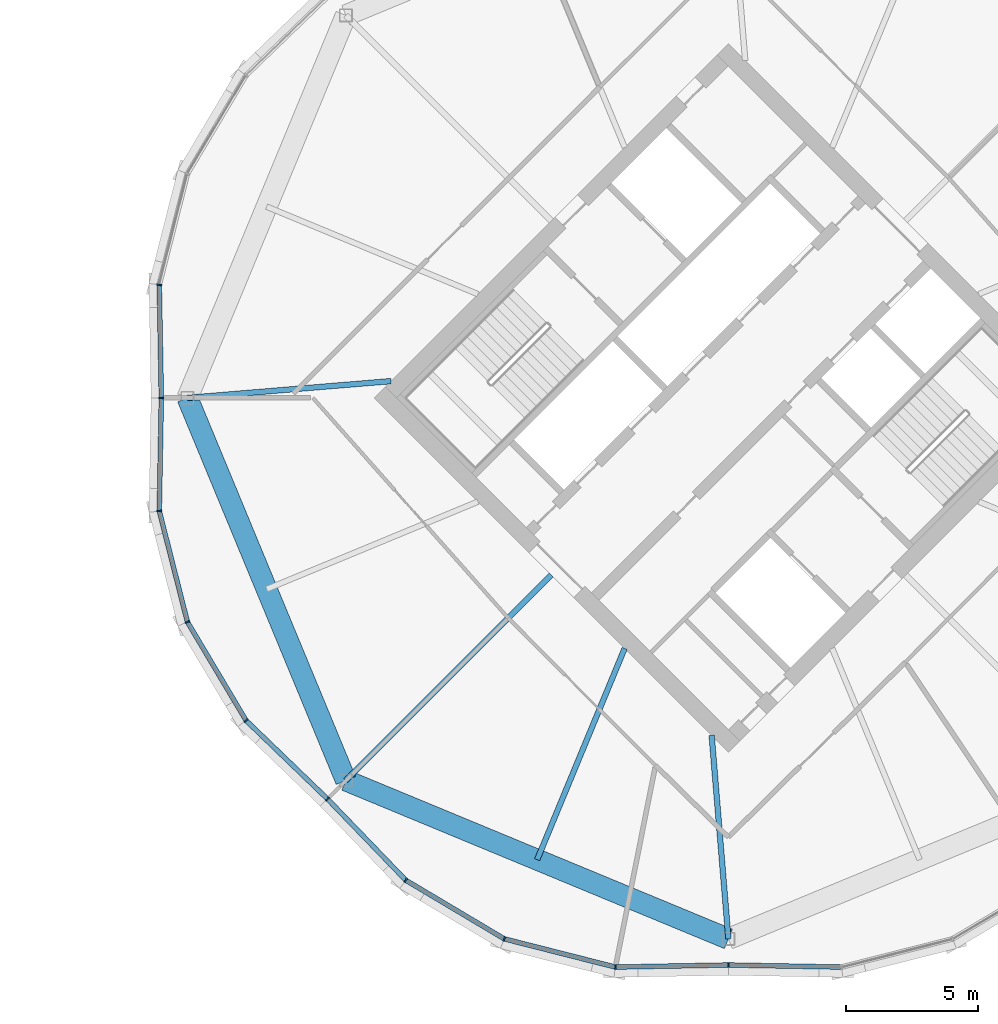
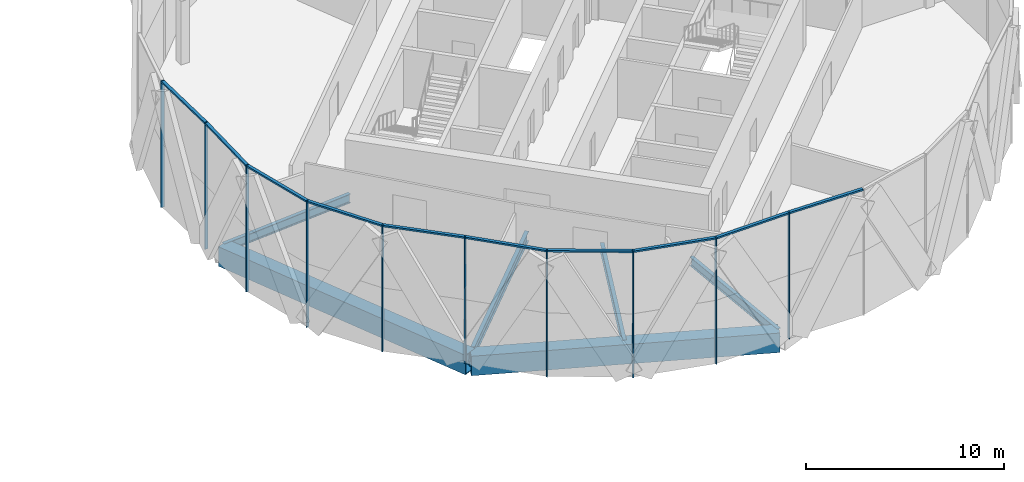
# One storey, part 10 of 27: 20 members, 6 beams, 4 elements without a shape of their own.
"""IFC4 building model written with IfcOpenShell, lengths in metres."""

from ifc_helpers import new_model, si_unit, direction, frame, origin, origin_2d, place, context, subcontext, project, spatial, rectangle, hollow_rectangle, i_section, extrude, material, material_profile, profile_set, type_object, element, aggregate, save


model = new_model("IFC4")

# Units and contexts
model_context = context("Model", 3, precision=1e-05, world=origin(), true_north=direction((0.0, 1.0)))
body_context = subcontext(model_context, "Body", "Model", "MODEL_VIEW")
ifc_project = project(units=[si_unit("LENGTHUNIT", "METRE"), si_unit("AREAUNIT", "SQUARE_METRE"), si_unit("VOLUMEUNIT", "CUBIC_METRE"), si_unit("PLANEANGLEUNIT", "RADIAN"), si_unit("MASSUNIT", "GRAM", prefix="KILO")], contexts=[model_context])

# Site, building, storey
site_placement = place(None, origin())
site = spatial("IfcSite", under=ifc_project, at=site_placement, CompositionType="ELEMENT")
building_placement = place(site_placement, origin())
building = spatial("IfcBuilding", under=site, at=building_placement, Name="Ogive Gate Towers", CompositionType="ELEMENT")
storey_placement = place(building_placement, frame((0.0, 0.0, 189.0)))
storey = spatial("IfcBuildingStorey", under=building, at=storey_placement, Name="L45", CompositionType="ELEMENT", Elevation=189.0)

# Beams
ifc_material_1 = material(Name="Steel SM460", Category="steel")
ifc_material_profile_1 = material_profile(ifc_material_1, hollow_rectangle(XDim=0.800048828125, YDim=1.199951171875, WallThickness=0.050048828125, at=origin_2d()), Name="BX 1200x800x50")
ifc_profile_set_1 = profile_set([ifc_material_profile_1], Name="Steel SM460")
beam_type_1 = type_object("IfcBeamType", Name="Edge girder BX 1200x800x50", PredefinedType="BEAM", material=ifc_profile_set_1)
for number, where, z_axis, x_axis, name in (
    (1, (21.490234375, -14.509765625, -0.89990234375), (0.923877006731, -0.38268953008, 0.0), (0.38268953008, 0.923877006731, 0.0), "T2/L45/SBM017"),
    (2, (15.47998046875, 0.0, -0.89990234375), (0.38268953008, -0.923877006731, 0.0), (0.923877006731, 0.38268953008, 0.0), "T2/L45/SBM024"),
):
    element("IfcBeam", number, at=place(storey_placement, frame(where, z_axis=z_axis, x_axis=x_axis)), inside=storey, type_object=beam_type_1, Name=name, PredefinedType="BEAM", context=body_context, shape_type="SweptSolid", body=[
        extrude(hollow_rectangle(XDim=0.800048828125, YDim=1.199951171875, WallThickness=0.050048828125, at=origin_2d()), origin(), (0.0, 0.0, 1.0), 15.705322265625),
    ])
ifc_material_2 = material(Name="Steel SM355", Category="steel")
ifc_material_profile_2 = material_profile(ifc_material_2, i_section(OverallWidth=0.2099609375, OverallDepth=0.550048828125, WebThickness=0.010986328125, FlangeThickness=0.01708984375, FilletRadius=0.02392578125, at=origin_2d()), Name="IPE 550")
ifc_profile_set_2 = profile_set([ifc_material_profile_2], Name="Steel SM355")
beam_type_2 = type_object("IfcBeamType", Name="Radial floor beam IPE 550", PredefinedType="BEAM", material=ifc_profile_set_2)
beam_1_placement = place(storey_placement, frame((32.06494140625, -9.5, -0.574951171875), z_axis=(-0.382678218882, -0.92388169199, 0.0), x_axis=(0.92388169199, -0.382678218882, 0.0)))
element("IfcBeam", 3, at=beam_1_placement, inside=storey, type_object=beam_type_2, Name="T2/L45/SBM002", PredefinedType="BEAM", context=body_context, shape_type="SweptSolid", body=[
    extrude(i_section(OverallWidth=0.2099609375, OverallDepth=0.550048828125, WebThickness=0.010986328125, FlangeThickness=0.01708984375, FilletRadius=0.02392578125, at=origin_2d()), origin(), (0.0, 0.0, 1.0), 8.67529296875),
])
for number, where, z_axis, x_axis, name in (
    (4, (35.363525390625, -12.798583984375, -0.574951171875), (0.082150949336, -0.996619898218, 0.0), (0.996619898218, 0.082150949336, 0.0), "T2/L45/SBM003"),
    (5, (23.201416015625, 0.636474609375, -0.574951171875), (-0.996619898218, -0.082150949336, 0.0), (0.082150949336, -0.996619898218, 0.0), "T2/L45/SBM015"),
):
    element("IfcBeam", number, at=place(storey_placement, frame(where, z_axis=z_axis, x_axis=x_axis)), inside=storey, type_object=beam_type_2, Name=name, PredefinedType="BEAM", context=body_context, shape_type="SweptSolid", body=[
        extrude(i_section(OverallWidth=0.2099609375, OverallDepth=0.550048828125, WebThickness=0.010986328125, FlangeThickness=0.01708984375, FilletRadius=0.02392578125, at=origin_2d()), origin(), (0.0, 0.0, 1.0), 7.74755859375),
    ])
ifc_material_profile_3 = material_profile(ifc_material_2, i_section(OverallWidth=0.219970703125, OverallDepth=0.60009765625, WebThickness=0.011962890625, FlangeThickness=0.01904296875, FilletRadius=0.02392578125, at=origin_2d()), Name="IPE 600")
ifc_profile_set_3 = profile_set([ifc_material_profile_3], Name="Steel SM355")
beam_type_3 = type_object("IfcBeamType", Name="Radial floor beam IPE 600", PredefinedType="BEAM", material=ifc_profile_set_3)
beam_2_placement = place(storey_placement, frame((29.282470703125, -6.717529296875, -0.60009765625), z_axis=(-0.707106781187, -0.707106781187, 0.0), x_axis=(0.707106781187, -0.707106781187, 0.0)))
element("IfcBeam", 6, at=beam_2_placement, inside=storey, type_object=beam_type_3, Name="T2/L45/SBM001", PredefinedType="BEAM", context=body_context, shape_type="SweptSolid", body=[
    extrude(i_section(OverallWidth=0.219970703125, OverallDepth=0.60009765625, WebThickness=0.011962890625, FlangeThickness=0.01904296875, FilletRadius=0.02392578125, at=origin_2d()), origin(), (0.0, 0.0, 1.0), 11.019775390625),
])

# Curtain wall, members
ifc_material_3 = material(Name="Pale metal aluminium", Category="aluminium")
curtain_wall_type = type_object("IfcCurtainWallType", Name="Tower unitised wall, high zone", PredefinedType="NOTDEFINED", material=ifc_material_3)
curtain_wall_1_placement = place(storey_placement, origin())
curtain_wall_1 = element("IfcCurtainWall", 7, at=curtain_wall_1_placement, inside=storey, type_object=curtain_wall_type, Name="CW2 T2 ECW04", PredefinedType="NOTDEFINED")
ifc_material_profile_4 = material_profile(ifc_material_3, rectangle(XDim=0.179931640625, YDim=0.06005859375, at=origin_2d()), Name="60 x 180 aluminium box")
ifc_profile_set_4 = profile_set([ifc_material_profile_4], Name="Pale metal aluminium")
member_type_1 = type_object("IfcMemberType", Name="Tower unitised wall, high zone mullion 60 x 180", PredefinedType="MULLION", material=ifc_profile_set_4)
member_1_placement = place(storey_placement, frame((14.410888671875, 4.286865234375, -0.300048828125), z_axis=(0.0, 0.0, 1.0), x_axis=(-0.993394813642, 0.114746434496, 0.0)))
member_1 = element("IfcMember", 8, at=member_1_placement, type_object=member_type_1, Name="CW2 mullion", PredefinedType="MULLION", context=body_context, shape_type="SweptSolid", body=[
    extrude(rectangle(XDim=0.179931640625, YDim=0.06005859375, at=origin_2d()), origin(), (0.0, 0.0, 1.0), 7.800048828125),
])
member_2_placement = place(storey_placement, frame((14.489990234375, 0.000244140625, -0.300048828125), z_axis=(0.0, 0.0, 1.0), x_axis=(-0.999830481388, -0.018412183135, 0.0)))
member_2 = element("IfcMember", 9, at=member_2_placement, type_object=member_type_1, Name="CW2 mullion", PredefinedType="MULLION", context=body_context, shape_type="SweptSolid", body=[
    extrude(rectangle(XDim=0.179931640625, YDim=0.06005859375, at=origin_2d()), origin(), (0.0, 0.0, 1.0), 7.800048828125),
])

curtain_wall_2_placement = place(storey_placement, origin())
curtain_wall_2 = element("IfcCurtainWall", 10, at=curtain_wall_2_placement, inside=storey, type_object=curtain_wall_type, Name="CW2 T2 ECW05", PredefinedType="NOTDEFINED")
member_3_placement = place(storey_placement, frame((14.410888671875, -4.286865234375, -0.300048828125), z_axis=(0.0, 0.0, 1.0), x_axis=(-0.993394813642, -0.114746434496, 0.0)))
member_3 = element("IfcMember", 11, at=member_3_placement, type_object=member_type_1, Name="CW2 mullion", PredefinedType="MULLION", context=body_context, shape_type="SweptSolid", body=[
    extrude(rectangle(XDim=0.179931640625, YDim=0.06005859375, at=origin_2d()), origin(), (0.0, 0.0, 1.0), 7.800048828125),
])
member_4_placement = place(storey_placement, frame((15.4794921875, -8.499755859375, -0.300048828125), z_axis=(0.0, 0.0, 1.0), x_axis=(-0.923879532511, -0.382683432365, 0.0)))
member_4 = element("IfcMember", 12, at=member_4_placement, type_object=member_type_1, Name="CW2 mullion", PredefinedType="MULLION", context=body_context, shape_type="SweptSolid", body=[
    extrude(rectangle(XDim=0.179931640625, YDim=0.06005859375, at=origin_2d()), origin(), (0.0, 0.0, 1.0), 7.800048828125),
])
member_5_placement = place(storey_placement, frame((17.702880859375, -12.234619140625, -0.300048828125), z_axis=(0.0, 0.0, 1.0), x_axis=(-0.783574191071, -0.621298227173, 0.0)))
member_5 = element("IfcMember", 13, at=member_5_placement, type_object=member_type_1, Name="CW2 mullion", PredefinedType="MULLION", context=body_context, shape_type="SweptSolid", body=[
    extrude(rectangle(XDim=0.179931640625, YDim=0.06005859375, at=origin_2d()), origin(), (0.0, 0.0, 1.0), 7.800048828125),
])
member_6_placement = place(storey_placement, frame((20.7900390625, -15.209716796875, -0.300048828125), z_axis=(0.0, 0.0, 1.0), x_axis=(-0.693942400491, -0.720030516576, 0.0)))
member_6 = element("IfcMember", 14, at=member_6_placement, type_object=member_type_1, Name="CW2 mullion", PredefinedType="MULLION", context=body_context, shape_type="SweptSolid", body=[
    extrude(rectangle(XDim=0.179931640625, YDim=0.06005859375, at=origin_2d()), origin(), (0.0, 0.0, 1.0), 7.800048828125),
])

curtain_wall_3_placement = place(storey_placement, origin())
curtain_wall_3 = element("IfcCurtainWall", 15, at=curtain_wall_3_placement, inside=storey, type_object=curtain_wall_type, Name="CW2 T2 ECW06", PredefinedType="NOTDEFINED")
member_7_placement = place(storey_placement, frame((23.765380859375, -18.297119140625, -0.300048828125), z_axis=(0.0, 0.0, 1.0), x_axis=(-0.621298227173, -0.783574191071, 0.0)))
member_7 = element("IfcMember", 16, at=member_7_placement, type_object=member_type_1, Name="CW2 mullion", PredefinedType="MULLION", context=body_context, shape_type="SweptSolid", body=[
    extrude(rectangle(XDim=0.179931640625, YDim=0.06005859375, at=origin_2d()), origin(), (0.0, 0.0, 1.0), 7.800048828125),
])
member_8_placement = place(storey_placement, frame((27.500244140625, -20.5205078125, -0.300048828125), z_axis=(0.0, 0.0, 1.0), x_axis=(-0.382683432365, -0.923879532511, 0.0)))
member_8 = element("IfcMember", 17, at=member_8_placement, type_object=member_type_1, Name="CW2 mullion", PredefinedType="MULLION", context=body_context, shape_type="SweptSolid", body=[
    extrude(rectangle(XDim=0.179931640625, YDim=0.06005859375, at=origin_2d()), origin(), (0.0, 0.0, 1.0), 7.800048828125),
])
member_9_placement = place(storey_placement, frame((31.713134765625, -21.589111328125, -0.300048828125), z_axis=(0.0, 0.0, 1.0), x_axis=(-0.114746434496, -0.993394813642, 0.0)))
member_9 = element("IfcMember", 18, at=member_9_placement, type_object=member_type_1, Name="CW2 mullion", PredefinedType="MULLION", context=body_context, shape_type="SweptSolid", body=[
    extrude(rectangle(XDim=0.179931640625, YDim=0.06005859375, at=origin_2d()), origin(), (0.0, 0.0, 1.0), 7.800048828125),
])
member_10_placement = place(storey_placement, frame((35.999755859375, -21.510009765625, -0.300048828125), z_axis=(0.0, 0.0, 1.0), x_axis=(0.018412183135, -0.999830481388, 0.0)))
member_10 = element("IfcMember", 19, at=member_10_placement, type_object=member_type_1, Name="CW2 mullion", PredefinedType="MULLION", context=body_context, shape_type="SweptSolid", body=[
    extrude(rectangle(XDim=0.179931640625, YDim=0.06005859375, at=origin_2d()), origin(), (0.0, 0.0, 1.0), 7.800048828125),
])

# Member
ifc_material_profile_5 = material_profile(ifc_material_3, rectangle(XDim=0.179931640625, YDim=0.10009765625, at=origin_2d()), Name="100 x 180 aluminium box")
ifc_profile_set_5 = profile_set([ifc_material_profile_5], Name="Pale metal aluminium")
member_type_2 = type_object("IfcMemberType", Name="Tower unitised wall, high zone transom 100 x 180", PredefinedType="USERDEFINED", material=ifc_profile_set_5)
member_11_placement = place(storey_placement, frame((14.41162109375, 4.25830078125, 7.449951171875), z_axis=(0.018417016697, -0.999830392365, 0.0), x_axis=(0.999830392365, 0.018417016697, 0.0)))
member_11 = element("IfcMember", 20, at=member_11_placement, type_object=member_type_2, Name="CW2 transom", ObjectType="TRANSOM", PredefinedType="USERDEFINED", context=body_context, shape_type="SweptSolid", body=[
    extrude(rectangle(XDim=0.179931640625, YDim=0.10009765625, at=origin_2d()), origin(), (0.0, 0.0, 1.0), 4.228759765625),
])

aggregate(curtain_wall_1, [member_1, member_2, member_11])

member_12_placement = place(storey_placement, frame((14.489501953125, -0.0302734375, 7.449951171875), z_axis=(-0.018417016697, -0.999830392365, 0.0), x_axis=(0.999830392365, -0.018417016697, 0.0)))
member_12 = element("IfcMember", 21, at=member_12_placement, type_object=member_type_2, Name="CW2 transom", ObjectType="TRANSOM", PredefinedType="USERDEFINED", context=body_context, shape_type="SweptSolid", body=[
    extrude(rectangle(XDim=0.179931640625, YDim=0.10009765625, at=origin_2d()), origin(), (0.0, 0.0, 1.0), 4.228759765625),
])

member_13_placement = place(storey_placement, frame((14.418212890625, -4.314697265625, 7.449951171875), z_axis=(0.245842336798, -0.969309829434, 0.0), x_axis=(0.969309829434, 0.245842336798, 0.0)))
member_13 = element("IfcMember", 22, at=member_13_placement, type_object=member_type_2, Name="CW2 transom", ObjectType="TRANSOM", PredefinedType="USERDEFINED", context=body_context, shape_type="SweptSolid", body=[
    extrude(rectangle(XDim=0.179931640625, YDim=0.10009765625, at=origin_2d()), origin(), (0.0, 0.0, 1.0), 4.2890625),
])

member_14_placement = place(storey_placement, frame((15.494384765625, -8.5244140625, 7.449951171875), z_axis=(0.511495868255, -0.859285736387, 0.0), x_axis=(0.859285736387, 0.511495868255, 0.0)))
member_14 = element("IfcMember", 23, at=member_14_placement, type_object=member_type_2, Name="CW2 transom", ObjectType="TRANSOM", PredefinedType="USERDEFINED", context=body_context, shape_type="SweptSolid", body=[
    extrude(rectangle(XDim=0.179931640625, YDim=0.10009765625, at=origin_2d()), origin(), (0.0, 0.0, 1.0), 4.2890625),
])

member_15_placement = place(storey_placement, frame((17.7236328125, -12.25439453125, 7.449951171875), z_axis=(0.720006031483, -0.693967805182, 0.0), x_axis=(0.693967805182, 0.720006031483, 0.0)))
member_15 = element("IfcMember", 24, at=member_15_placement, type_object=member_type_2, Name="CW2 transom", ObjectType="TRANSOM", PredefinedType="USERDEFINED", context=body_context, shape_type="SweptSolid", body=[
    extrude(rectangle(XDim=0.179931640625, YDim=0.10009765625, at=origin_2d()), origin(), (0.0, 0.0, 1.0), 4.228759765625),
])

aggregate(curtain_wall_2, [member_3, member_12, member_4, member_13, member_5, member_14, member_6, member_15])

member_16_placement = place(storey_placement, frame((20.81103515625, -15.231689453125, 7.449951171875), z_axis=(0.693967805182, -0.720006031483, 0.0), x_axis=(0.720006031483, 0.693967805182, 0.0)))
member_16 = element("IfcMember", 25, at=member_16_placement, type_object=member_type_2, Name="CW2 transom", ObjectType="TRANSOM", PredefinedType="USERDEFINED", context=body_context, shape_type="SweptSolid", body=[
    extrude(rectangle(XDim=0.179931640625, YDim=0.10009765625, at=origin_2d()), origin(), (0.0, 0.0, 1.0), 4.228759765625),
])

member_17_placement = place(storey_placement, frame((23.7900390625, -18.311767578125, 7.449951171875), z_axis=(0.859285736387, -0.511495868255, 0.0), x_axis=(0.511495868255, 0.859285736387, 0.0)))
member_17 = element("IfcMember", 26, at=member_17_placement, type_object=member_type_2, Name="CW2 transom", ObjectType="TRANSOM", PredefinedType="USERDEFINED", context=body_context, shape_type="SweptSolid", body=[
    extrude(rectangle(XDim=0.179931640625, YDim=0.10009765625, at=origin_2d()), origin(), (0.0, 0.0, 1.0), 4.2890625),
])

member_18_placement = place(storey_placement, frame((27.52783203125, -20.52734375, 7.449951171875), z_axis=(0.969309829434, -0.245842336798, 0.0), x_axis=(0.245842336798, 0.969309829434, 0.0)))
member_18 = element("IfcMember", 27, at=member_18_placement, type_object=member_type_2, Name="CW2 transom", ObjectType="TRANSOM", PredefinedType="USERDEFINED", context=body_context, shape_type="SweptSolid", body=[
    extrude(rectangle(XDim=0.179931640625, YDim=0.10009765625, at=origin_2d()), origin(), (0.0, 0.0, 1.0), 4.2890625),
])

member_19_placement = place(storey_placement, frame((31.74169921875, -21.58837890625, 7.449951171875), z_axis=(0.999830392365, 0.018417016697, 0.0), x_axis=(-0.018417016697, 0.999830392365, 0.0)))
member_19 = element("IfcMember", 28, at=member_19_placement, type_object=member_type_2, Name="CW2 transom", ObjectType="TRANSOM", PredefinedType="USERDEFINED", context=body_context, shape_type="SweptSolid", body=[
    extrude(rectangle(XDim=0.179931640625, YDim=0.10009765625, at=origin_2d()), origin(), (0.0, 0.0, 1.0), 4.228759765625),
])

aggregate(curtain_wall_3, [member_7, member_16, member_8, member_17, member_9, member_18, member_10, member_19])

# Curtain wall, member
curtain_wall_4_placement = place(storey_placement, origin())
curtain_wall_4 = element("IfcCurtainWall", 29, at=curtain_wall_4_placement, inside=storey, type_object=curtain_wall_type, Name="CW2 T2 ECW07", PredefinedType="NOTDEFINED")
member_20_placement = place(storey_placement, frame((36.0302734375, -21.510498046875, 7.449951171875), z_axis=(0.999830392365, -0.018417016697, 0.0), x_axis=(0.018417016697, 0.999830392365, 0.0)))
member_20 = element("IfcMember", 30, at=member_20_placement, type_object=member_type_2, Name="CW2 transom", ObjectType="TRANSOM", PredefinedType="USERDEFINED", context=body_context, shape_type="SweptSolid", body=[
    extrude(rectangle(XDim=0.179931640625, YDim=0.10009765625, at=origin_2d()), origin(), (0.0, 0.0, 1.0), 4.228759765625),
])
aggregate(curtain_wall_4, [member_20])

save(model, "model.ifc")
